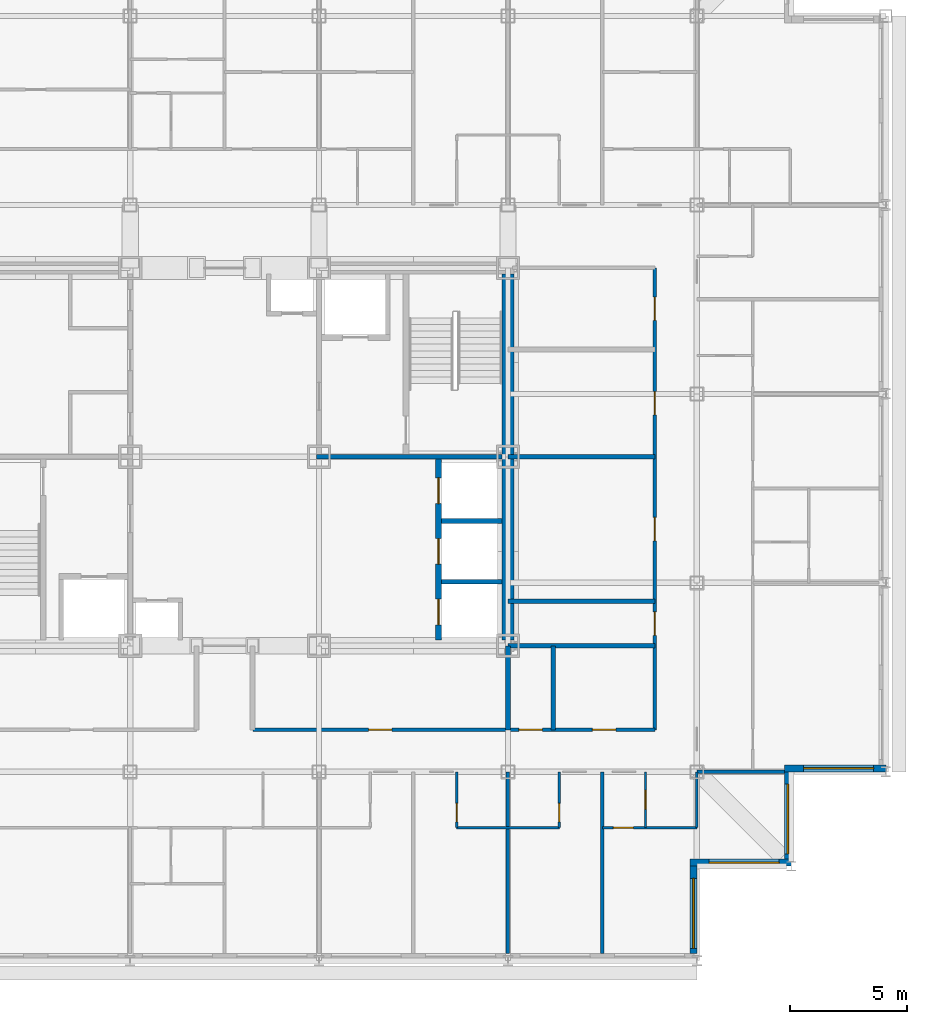
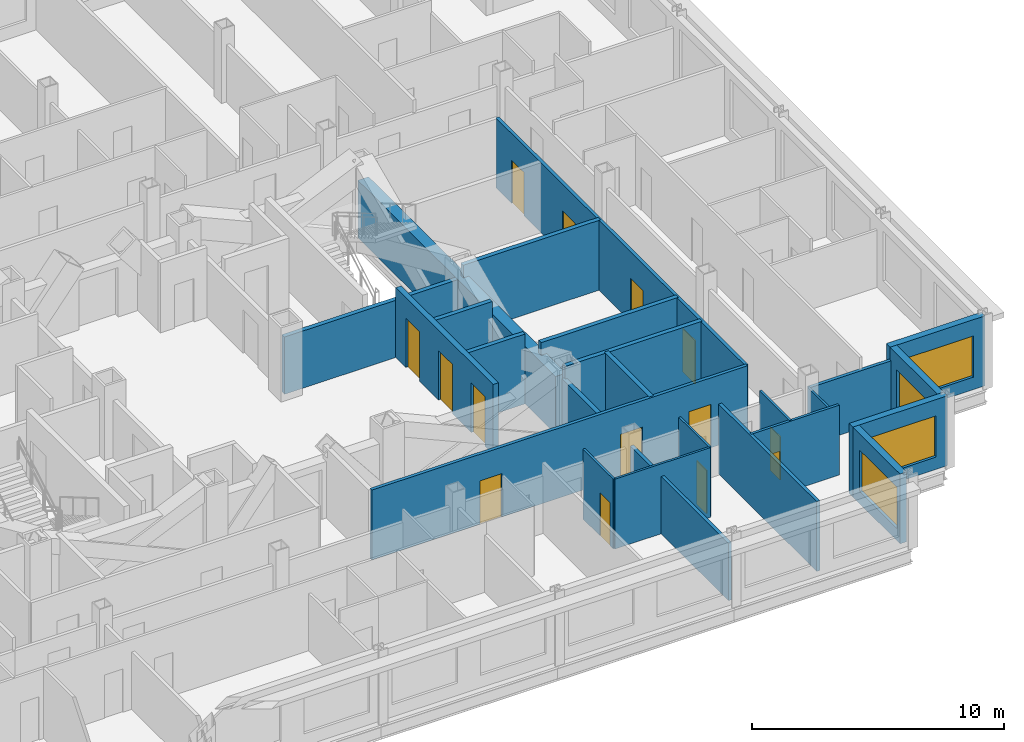
# One storey, part 7 of 12: 25 walls, 14 doors, 4 windows, 18 openings.
"""IFC4 building model written with IfcOpenShell, lengths in metres."""

from ifc_helpers import new_model, si_unit, direction, frame, frame_2d, origin, place, context, subcontext, project, spatial, rectangle, extrude, material, layer, layer_set, type_object, element, fill, save


model = new_model("IFC4")

# Units and contexts
model_context = context("Model", 3, precision=1e-05, world=origin(), true_north=direction((0.0, 1.0)))
body_context = subcontext(model_context, "Body", "Model", "MODEL_VIEW")
ifc_project = project(units=[si_unit("LENGTHUNIT", "METRE"), si_unit("AREAUNIT", "SQUARE_METRE"), si_unit("VOLUMEUNIT", "CUBIC_METRE"), si_unit("PLANEANGLEUNIT", "RADIAN"), si_unit("MASSUNIT", "GRAM", prefix="KILO")], contexts=[model_context])

# Site, building, storey
site_placement = place(None, origin())
site = spatial("IfcSite", under=ifc_project, at=site_placement, CompositionType="ELEMENT")
building_placement = place(site_placement, origin())
building = spatial("IfcBuilding", under=site, at=building_placement, Name="Kopane Lantern Tower", CompositionType="ELEMENT")
storey_placement = place(building_placement, frame((0.0, 0.0, 213.60009765625)))
storey = spatial("IfcBuildingStorey", under=building, at=storey_placement, Name="L55", CompositionType="ELEMENT", Elevation=213.60009765625)

# Wall, opening, door
ifc_material_1 = material(Name="Gypsum board on steel studs", Category="steel")
ifc_layer_1 = layer(ifc_material_1, 0.1201171875)
ifc_layer_set_1 = layer_set([ifc_layer_1], Name="APARTMENT INTERNAL WALL 120")
wall_type_1 = type_object("IfcWallType", Name="APARTMENT INTERNAL WALL 120", PredefinedType="PARTITIONING", material=ifc_layer_set_1)
wall_1_placement = place(storey_placement, frame((44.550048828125, 16.5, 0.0), z_axis=(0.0, 0.0, 1.0), x_axis=(1.0, 0.0, 0.0)))
wall_1 = element("IfcWall", 1, at=wall_1_placement, inside=storey, type_object=wall_type_1, Name="Apartment Internal Wall 120 L55", PredefinedType="PARTITIONING", context=body_context, shape_type="SweptSolid", body=[
    extrude(rectangle(XDim=4.050048828125, YDim=0.1201171875, at=frame_2d((2.02490234375, 0.0))), origin(), (0.0, 0.0, 1.0), 3.389892578125),
])
opening_1_placement = place(wall_1_placement, frame((0.47509765625, 0.0, 0.0)))
opening_1 = element("IfcOpeningElement", 2, at=opening_1_placement, cuts=wall_1, Name="Opening L55-060", PredefinedType="OPENING", context=body_context, shape_type="SweptSolid", body=[
    extrude(rectangle(XDim=0.85009765625, YDim=2.10009765625, at=frame_2d((0.425048828125, 1.050048828125))), frame((0.0, 0.070068359375, 0.0), z_axis=(0.0, -1.0, 0.0), x_axis=(1.0, 0.0, 0.0)), (0.0, 0.0, 1.0), 0.14013671875),
])
ifc_material_2 = material(Name="Timber door set", Category="wood")
door_type_1 = type_object("IfcDoorType", Name="DOOR D4 850x2100", OperationType="SINGLE_SWING_LEFT", PredefinedType="DOOR", material=ifc_material_2)
door_1_placement = place(opening_1_placement, origin())
door_1 = element("IfcDoor", 3, at=door_1_placement, inside=storey, type_object=door_type_1, Name="Door L55-060", OperationType="SINGLE_SWING_RIGHT", OverallHeight=2.10009765625, OverallWidth=0.85009765625, PredefinedType="DOOR", context=body_context, shape_type="SweptSolid", body=[
    extrude(rectangle(XDim=0.85009765625, YDim=2.10009765625, at=frame_2d((0.425048828125, 1.050048828125))), frame((0.0, 0.02490234375, 0.0), z_axis=(0.0, -1.0, 0.0), x_axis=(1.0, 0.0, 0.0)), (0.0, 0.0, 1.0), 0.050048828125),
])
fill(opening_1, door_1)

# Wall
ifc_material_3 = material(Name="Moisture-resistant board on steel studs", Category="steel")
ifc_layer_2 = layer(ifc_material_3, 0.10009765625)
ifc_layer_set_2 = layer_set([ifc_layer_2], Name="BATHROOM WALL 100")
wall_type_2 = type_object("IfcWallType", Name="BATHROOM WALL 100", PredefinedType="PARTITIONING", material=ifc_layer_set_2)
wall_2_placement = place(storey_placement, frame((38.300048828125, 16.5, 0.0), z_axis=(0.0, 0.0, 1.0), x_axis=(1.0, 0.0, 0.0)))
element("IfcWall", 4, at=wall_2_placement, inside=storey, type_object=wall_type_2, Name="Bathroom Wall 100 L55", PredefinedType="PARTITIONING", context=body_context, shape_type="SweptSolid", body=[
    extrude(rectangle(XDim=4.39990234375, YDim=0.10009765625, at=frame_2d((2.199951171875, 0.0))), origin(), (0.0, 0.0, 1.0), 3.389892578125),
])

# Wall, opening, door
wall_3_placement = place(storey_placement, frame((38.300048828125, 18.89990234375, 0.0), z_axis=(0.0, 0.0, 1.0), x_axis=(0.0, -1.0, 0.0)))
wall_3 = element("IfcWall", 5, at=wall_3_placement, inside=storey, type_object=wall_type_2, Name="Bathroom Wall 100 L55", PredefinedType="PARTITIONING", context=body_context, shape_type="SweptSolid", body=[
    extrude(rectangle(XDim=2.39990234375, YDim=0.10009765625, at=frame_2d((1.199951171875, 0.0))), origin(), (0.0, 0.0, 1.0), 3.389892578125),
])
opening_2_placement = place(wall_3_placement, frame((1.35009765625, 0.0, 0.0)))
opening_2 = element("IfcOpeningElement", 6, at=opening_2_placement, cuts=wall_3, Name="Opening L55-020", PredefinedType="OPENING", context=body_context, shape_type="SweptSolid", body=[
    extrude(rectangle(XDim=0.800048828125, YDim=2.10009765625, at=frame_2d((0.39990234375, 1.050048828125))), frame((0.0, 0.06005859375, 0.0), z_axis=(0.0, -1.0, 0.0), x_axis=(1.0, 0.0, 0.0)), (0.0, 0.0, 1.0), 0.1201171875),
])
ifc_material_4 = material(Name="Timber door set", Category="wood")
door_type_2 = type_object("IfcDoorType", Name="DOOR D2 800x2100", OperationType="SINGLE_SWING_LEFT", PredefinedType="DOOR", material=ifc_material_4)
door_2_placement = place(opening_2_placement, origin())
door_2 = element("IfcDoor", 7, at=door_2_placement, inside=storey, type_object=door_type_2, Name="Door L55-020", OperationType="SINGLE_SWING_RIGHT", OverallHeight=2.10009765625, OverallWidth=0.800048828125, PredefinedType="DOOR", context=body_context, shape_type="SweptSolid", body=[
    extrude(rectangle(XDim=0.800048828125, YDim=2.10009765625, at=frame_2d((0.39990234375, 1.050048828125))), frame((0.0, 0.02490234375, 0.0), z_axis=(0.0, -1.0, 0.0), x_axis=(1.0, 0.0, 0.0)), (0.0, 0.0, 1.0), 0.050048828125),
])
fill(opening_2, door_2)

wall_4_placement = place(storey_placement, frame((42.699951171875, 18.89990234375, 0.0), z_axis=(0.0, 0.0, 1.0), x_axis=(0.0, -1.0, 0.0)))
wall_4 = element("IfcWall", 8, at=wall_4_placement, inside=storey, type_object=wall_type_2, Name="Bathroom Wall 100 L55", PredefinedType="PARTITIONING", context=body_context, shape_type="SweptSolid", body=[
    extrude(rectangle(XDim=2.39990234375, YDim=0.10009765625, at=frame_2d((1.199951171875, 0.0))), origin(), (0.0, 0.0, 1.0), 3.389892578125),
])
opening_3_placement = place(wall_4_placement, frame((1.35009765625, 0.0, 0.0)))
opening_3 = element("IfcOpeningElement", 9, at=opening_3_placement, cuts=wall_4, Name="Opening L55-022", PredefinedType="OPENING", context=body_context, shape_type="SweptSolid", body=[
    extrude(rectangle(XDim=0.800048828125, YDim=2.10009765625, at=frame_2d((0.39990234375, 1.050048828125))), frame((0.0, 0.06005859375, 0.0), z_axis=(0.0, -1.0, 0.0), x_axis=(1.0, 0.0, 0.0)), (0.0, 0.0, 1.0), 0.1201171875),
])
door_3_placement = place(opening_3_placement, origin())
door_3 = element("IfcDoor", 10, at=door_3_placement, inside=storey, type_object=door_type_2, Name="Door L55-022", OperationType="SINGLE_SWING_LEFT", OverallHeight=2.10009765625, OverallWidth=0.800048828125, PredefinedType="DOOR", context=body_context, shape_type="SweptSolid", body=[
    extrude(rectangle(XDim=0.800048828125, YDim=2.10009765625, at=frame_2d((0.39990234375, 1.050048828125))), frame((0.0, 0.02490234375, 0.0), z_axis=(0.0, -1.0, 0.0), x_axis=(1.0, 0.0, 0.0)), (0.0, 0.0, 1.0), 0.050048828125),
])
fill(opening_3, door_3)

wall_5_placement = place(storey_placement, frame((46.39990234375, 18.89990234375, 0.0), z_axis=(0.0, 0.0, 1.0), x_axis=(0.0, -1.0, 0.0)))
wall_5 = element("IfcWall", 11, at=wall_5_placement, inside=storey, type_object=wall_type_2, Name="Bathroom Wall 100 L55", PredefinedType="PARTITIONING", context=body_context, shape_type="SweptSolid", body=[
    extrude(rectangle(XDim=2.39990234375, YDim=0.10009765625, at=frame_2d((1.199951171875, 0.0))), origin(), (0.0, 0.0, 1.0), 3.389892578125),
])
opening_4_placement = place(wall_5_placement, frame((0.800048828125, 0.0, 0.0)))
opening_4 = element("IfcOpeningElement", 12, at=opening_4_placement, cuts=wall_5, Name="Opening L55-058", PredefinedType="OPENING", context=body_context, shape_type="SweptSolid", body=[
    extrude(rectangle(XDim=0.800048828125, YDim=2.10009765625, at=frame_2d((0.39990234375, 1.050048828125))), frame((0.0, 0.06005859375, 0.0), z_axis=(0.0, -1.0, 0.0), x_axis=(1.0, 0.0, 0.0)), (0.0, 0.0, 1.0), 0.1201171875),
])
door_4_placement = place(opening_4_placement, origin())
door_4 = element("IfcDoor", 13, at=door_4_placement, inside=storey, type_object=door_type_2, Name="Door L55-058", OperationType="SINGLE_SWING_LEFT", OverallHeight=2.10009765625, OverallWidth=0.800048828125, PredefinedType="DOOR", context=body_context, shape_type="SweptSolid", body=[
    extrude(rectangle(XDim=0.800048828125, YDim=2.10009765625, at=frame_2d((0.39990234375, 1.050048828125))), frame((0.0, 0.02490234375, 0.0), z_axis=(0.0, -1.0, 0.0), x_axis=(1.0, 0.0, 0.0)), (0.0, 0.0, 1.0), 0.050048828125),
])
fill(opening_4, door_4)

# Walls
wall_6_placement = place(storey_placement, frame((48.60009765625, 18.89990234375, 0.0), z_axis=(0.0, 0.0, 1.0), x_axis=(0.0, -1.0, 0.0)))
element("IfcWall", 14, at=wall_6_placement, inside=storey, type_object=wall_type_2, Name="Bathroom Wall 100 L55", PredefinedType="PARTITIONING", context=body_context, shape_type="SweptSolid", body=[
    extrude(rectangle(XDim=2.39990234375, YDim=0.10009765625, at=frame_2d((1.199951171875, 0.0))), origin(), (0.0, 0.0, 1.0), 2.777587890625),
])
ifc_material_5 = material(Name="Gypsum shaft wall EI 120", Category="gypsum")
ifc_layer_3 = layer(ifc_material_5, 0.5)
ifc_layer_set_3 = layer_set([ifc_layer_3], Name="CORE PERIMETER WALL 500 EI 120")
wall_type_3 = type_object("IfcWallType", Name="CORE PERIMETER WALL 500 EI 120", PredefinedType="SOLIDWALL", material=ifc_layer_set_3)
wall_7_placement = place(storey_placement, frame((40.5, 24.550048828125, 0.0), z_axis=(0.0, 0.0, 1.0), x_axis=(0.0, 1.0, 0.0)))
element("IfcWall", 15, at=wall_7_placement, inside=storey, type_object=wall_type_3, Name="Core shaft wall L55 PE", PredefinedType="SOLIDWALL", context=body_context, shape_type="SweptSolid", body=[
    extrude(rectangle(XDim=15.699951171875, YDim=0.5, at=frame_2d((7.85009765625, 0.0))), origin(), (0.0, 0.0, 1.0), 2.777587890625),
])

# Wall, openings, doors
ifc_material_6 = material(Name="Gypsum shaft wall EI 120", Category="gypsum")
ifc_layer_4 = layer(ifc_material_6, 0.25)
ifc_layer_set_4 = layer_set([ifc_layer_4], Name="CORE SHAFT WALL 250 EI 120")
wall_type_4 = type_object("IfcWallType", Name="CORE SHAFT WALL 250 EI 120", PredefinedType="SOLIDWALL", material=ifc_layer_set_4)
wall_8_placement = place(storey_placement, frame((37.52490234375, 24.550048828125, 0.0), z_axis=(0.0, 0.0, 1.0), x_axis=(0.0, 1.0, 0.0)))
wall_8 = element("IfcWall", 16, at=wall_8_placement, inside=storey, type_object=wall_type_4, Name="Core shaft wall L55 XLR", PredefinedType="SOLIDWALL", context=body_context, shape_type="SweptSolid", body=[
    extrude(rectangle(XDim=7.75, YDim=0.25, at=frame_2d((3.875, 0.0))), origin(), (0.0, 0.0, 1.0), 3.389892578125),
])
opening_5_placement = place(wall_8_placement, frame((0.64990234375, 0.0, 0.0)))
opening_5 = element("IfcOpeningElement", 17, at=opening_5_placement, cuts=wall_8, Name="Opening 55.LD-LR1", PredefinedType="OPENING", context=body_context, shape_type="SweptSolid", body=[
    extrude(rectangle(XDim=1.10009765625, YDim=2.39990234375, at=frame_2d((0.550048828125, 1.199951171875))), frame((0.0, 0.135009765625, 0.0), z_axis=(0.0, -1.0, 0.0), x_axis=(1.0, 0.0, 0.0)), (0.0, 0.0, 1.0), 0.27001953125),
])
opening_6_placement = place(wall_8_placement, frame((3.25, 0.0, 0.0)))
opening_6 = element("IfcOpeningElement", 18, at=opening_6_placement, cuts=wall_8, Name="Opening 55.LD-LR2", PredefinedType="OPENING", context=body_context, shape_type="SweptSolid", body=[
    extrude(rectangle(XDim=1.10009765625, YDim=2.39990234375, at=frame_2d((0.550048828125, 1.199951171875))), frame((0.0, 0.135009765625, 0.0), z_axis=(0.0, -1.0, 0.0), x_axis=(1.0, 0.0, 0.0)), (0.0, 0.0, 1.0), 0.27001953125),
])
opening_7_placement = place(wall_8_placement, frame((5.85009765625, 0.0, 0.0)))
opening_7 = element("IfcOpeningElement", 19, at=opening_7_placement, cuts=wall_8, Name="Opening 55.LD-LR3", PredefinedType="OPENING", context=body_context, shape_type="SweptSolid", body=[
    extrude(rectangle(XDim=1.10009765625, YDim=2.39990234375, at=frame_2d((0.550048828125, 1.199951171875))), frame((0.0, 0.135009765625, 0.0), z_axis=(0.0, -1.0, 0.0), x_axis=(1.0, 0.0, 0.0)), (0.0, 0.0, 1.0), 0.27001953125),
])
ifc_material_7 = material(Name="Steel door set", Category="steel")
door_type_3 = type_object("IfcDoorType", Name="LIFT LANDING DOOR 1100x2400 FD60", OperationType="DOUBLE_DOOR_SLIDING", PredefinedType="DOOR", material=ifc_material_7)
door_5_placement = place(opening_5_placement, origin())
door_5 = element("IfcDoor", 20, at=door_5_placement, inside=storey, type_object=door_type_3, Name="Landing door LR1 L55", OperationType="DOUBLE_DOOR_SLIDING", OverallHeight=2.39990234375, OverallWidth=1.10009765625, PredefinedType="DOOR", context=body_context, shape_type="SweptSolid", body=[
    extrude(rectangle(XDim=1.10009765625, YDim=2.39990234375, at=frame_2d((0.550048828125, 1.199951171875))), frame((0.0, 0.02490234375, 0.0), z_axis=(0.0, -1.0, 0.0), x_axis=(1.0, 0.0, 0.0)), (0.0, 0.0, 1.0), 0.050048828125),
])
fill(opening_5, door_5)
door_6_placement = place(opening_6_placement, origin())
door_6 = element("IfcDoor", 21, at=door_6_placement, inside=storey, type_object=door_type_3, Name="Landing door LR2 L55", OperationType="DOUBLE_DOOR_SLIDING", OverallHeight=2.39990234375, OverallWidth=1.10009765625, PredefinedType="DOOR", context=body_context, shape_type="SweptSolid", body=[
    extrude(rectangle(XDim=1.10009765625, YDim=2.39990234375, at=frame_2d((0.550048828125, 1.199951171875))), frame((0.0, 0.02490234375, 0.0), z_axis=(0.0, -1.0, 0.0), x_axis=(1.0, 0.0, 0.0)), (0.0, 0.0, 1.0), 0.050048828125),
])
fill(opening_6, door_6)
door_7_placement = place(opening_7_placement, origin())
door_7 = element("IfcDoor", 22, at=door_7_placement, inside=storey, type_object=door_type_3, Name="Landing door LR3 L55", OperationType="DOUBLE_DOOR_SLIDING", OverallHeight=2.39990234375, OverallWidth=1.10009765625, PredefinedType="DOOR", context=body_context, shape_type="SweptSolid", body=[
    extrude(rectangle(XDim=1.10009765625, YDim=2.39990234375, at=frame_2d((0.550048828125, 1.199951171875))), frame((0.0, 0.02490234375, 0.0), z_axis=(0.0, -1.0, 0.0), x_axis=(1.0, 0.0, 0.0)), (0.0, 0.0, 1.0), 0.050048828125),
])
fill(opening_7, door_7)

ifc_material_8 = material(Name="Gypsum board on steel studs", Category="steel")
ifc_layer_5 = layer(ifc_material_8, 0.14990234375)
ifc_layer_set_5 = layer_set([ifc_layer_5], Name="CORRIDOR WALL 150 EI 60")
wall_type_5 = type_object("IfcWallType", Name="CORRIDOR WALL 150 EI 60", PredefinedType="PARTITIONING", material=ifc_layer_set_5)
wall_9_placement = place(storey_placement, frame((46.800048828125, 20.699951171875, 0.0), z_axis=(0.0, 0.0, 1.0), x_axis=(0.0, 1.0, 0.0)))
wall_9 = element("IfcWall", 23, at=wall_9_placement, inside=storey, type_object=wall_type_5, Name="Corridor Wall 150 Ei 60 L55", PredefinedType="PARTITIONING", context=body_context, shape_type="SweptSolid", body=[
    extrude(rectangle(XDim=19.800048828125, YDim=0.14990234375, at=frame_2d((9.89990234375, 0.0))), origin(), (0.0, 0.0, 1.0), 3.389892578125),
])
opening_8_placement = place(wall_9_placement, frame((4.052490234375, 0.0, 0.0)))
opening_8 = element("IfcOpeningElement", 24, at=opening_8_placement, cuts=wall_9, Name="Opening L55-003", PredefinedType="OPENING", context=body_context, shape_type="SweptSolid", body=[
    extrude(rectangle(XDim=1.0, YDim=2.10009765625, at=frame_2d((0.5, 1.050048828125))), frame((0.0, 0.0849609375, 0.0), z_axis=(0.0, -1.0, 0.0), x_axis=(1.0, 0.0, 0.0)), (0.0, 0.0, 1.0), 0.169921875),
])
opening_9_placement = place(wall_9_placement, frame((8.102294921875, 0.0, 0.0)))
opening_9 = element("IfcOpeningElement", 25, at=opening_9_placement, cuts=wall_9, Name="Opening L55-004", PredefinedType="OPENING", context=body_context, shape_type="SweptSolid", body=[
    extrude(rectangle(XDim=1.0, YDim=2.10009765625, at=frame_2d((0.5, 1.050048828125))), frame((0.0, 0.0849609375, 0.0), z_axis=(0.0, -1.0, 0.0), x_axis=(1.0, 0.0, 0.0)), (0.0, 0.0, 1.0), 0.169921875),
])
opening_10_placement = place(wall_9_placement, frame((13.501708984375, 0.0, 0.0)))
opening_10 = element("IfcOpeningElement", 26, at=opening_10_placement, cuts=wall_9, Name="Opening L55-005", PredefinedType="OPENING", context=body_context, shape_type="SweptSolid", body=[
    extrude(rectangle(XDim=1.0, YDim=2.10009765625, at=frame_2d((0.5, 1.050048828125))), frame((0.0, 0.0849609375, 0.0), z_axis=(0.0, -1.0, 0.0), x_axis=(1.0, 0.0, 0.0)), (0.0, 0.0, 1.0), 0.169921875),
])
opening_11_placement = place(wall_9_placement, frame((17.551513671875, 0.0, 0.0)))
opening_11 = element("IfcOpeningElement", 27, at=opening_11_placement, cuts=wall_9, Name="Opening L55-006", PredefinedType="OPENING", context=body_context, shape_type="SweptSolid", body=[
    extrude(rectangle(XDim=1.0, YDim=2.10009765625, at=frame_2d((0.5, 1.050048828125))), frame((0.0, 0.0849609375, 0.0), z_axis=(0.0, -1.0, 0.0), x_axis=(1.0, 0.0, 0.0)), (0.0, 0.0, 1.0), 0.169921875),
])
ifc_material_9 = material(Name="Steel door set", Category="steel")
door_type_4 = type_object("IfcDoorType", Name="DOOR D5 1000x2100 FD60", OperationType="SINGLE_SWING_LEFT", PredefinedType="DOOR", material=ifc_material_9)
door_8_placement = place(opening_8_placement, origin())
door_8 = element("IfcDoor", 28, at=door_8_placement, inside=storey, type_object=door_type_4, Name="Door L55-003", OperationType="SINGLE_SWING_LEFT", OverallHeight=2.10009765625, OverallWidth=1.0, PredefinedType="DOOR", context=body_context, shape_type="SweptSolid", body=[
    extrude(rectangle(XDim=1.0, YDim=2.10009765625, at=frame_2d((0.5, 1.050048828125))), frame((0.0, 0.02490234375, 0.0), z_axis=(0.0, -1.0, 0.0), x_axis=(1.0, 0.0, 0.0)), (0.0, 0.0, 1.0), 0.050048828125),
])
fill(opening_8, door_8)
door_9_placement = place(opening_9_placement, origin())
door_9 = element("IfcDoor", 29, at=door_9_placement, inside=storey, type_object=door_type_4, Name="Door L55-004", OperationType="SINGLE_SWING_RIGHT", OverallHeight=2.10009765625, OverallWidth=1.0, PredefinedType="DOOR", context=body_context, shape_type="SweptSolid", body=[
    extrude(rectangle(XDim=1.0, YDim=2.10009765625, at=frame_2d((0.5, 1.050048828125))), frame((0.0, 0.02490234375, 0.0), z_axis=(0.0, -1.0, 0.0), x_axis=(1.0, 0.0, 0.0)), (0.0, 0.0, 1.0), 0.050048828125),
])
fill(opening_9, door_9)
door_10_placement = place(opening_10_placement, origin())
door_10 = element("IfcDoor", 30, at=door_10_placement, inside=storey, type_object=door_type_4, Name="Door L55-005", OperationType="SINGLE_SWING_LEFT", OverallHeight=2.10009765625, OverallWidth=1.0, PredefinedType="DOOR", context=body_context, shape_type="SweptSolid", body=[
    extrude(rectangle(XDim=1.0, YDim=2.10009765625, at=frame_2d((0.5, 1.050048828125))), frame((0.0, 0.02490234375, 0.0), z_axis=(0.0, -1.0, 0.0), x_axis=(1.0, 0.0, 0.0)), (0.0, 0.0, 1.0), 0.050048828125),
])
fill(opening_10, door_10)
door_11_placement = place(opening_11_placement, origin())
door_11 = element("IfcDoor", 31, at=door_11_placement, inside=storey, type_object=door_type_4, Name="Door L55-006", OperationType="SINGLE_SWING_RIGHT", OverallHeight=2.10009765625, OverallWidth=1.0, PredefinedType="DOOR", context=body_context, shape_type="SweptSolid", body=[
    extrude(rectangle(XDim=1.0, YDim=2.10009765625, at=frame_2d((0.5, 1.050048828125))), frame((0.0, 0.02490234375, 0.0), z_axis=(0.0, -1.0, 0.0), x_axis=(1.0, 0.0, 0.0)), (0.0, 0.0, 1.0), 0.050048828125),
])
fill(opening_11, door_11)

wall_10_placement = place(storey_placement, frame((29.56005859375, 20.699951171875, 0.0), z_axis=(0.0, 0.0, 1.0), x_axis=(1.0, 0.0, 0.0)))
wall_10 = element("IfcWall", 32, at=wall_10_placement, inside=storey, type_object=wall_type_5, Name="Corridor Wall 150 Ei 60 L55", PredefinedType="PARTITIONING", context=body_context, shape_type="SweptSolid", body=[
    extrude(rectangle(XDim=17.239990234375, YDim=0.14990234375, at=frame_2d((8.6201171875, 0.0))), origin(), (0.0, 0.0, 1.0), 3.389892578125),
])
opening_12_placement = place(wall_10_placement, frame((4.965087890625, 0.0, 0.0)))
opening_12 = element("IfcOpeningElement", 33, at=opening_12_placement, cuts=wall_10, Name="Opening L55-009", PredefinedType="OPENING", context=body_context, shape_type="SweptSolid", body=[
    extrude(rectangle(XDim=1.0, YDim=2.10009765625, at=frame_2d((0.5, 1.050048828125))), frame((0.0, 0.0849609375, 0.0), z_axis=(0.0, -1.0, 0.0), x_axis=(1.0, 0.0, 0.0)), (0.0, 0.0, 1.0), 0.169921875),
])
opening_13_placement = place(wall_10_placement, frame((11.412109375, 0.0, 0.0)))
opening_13 = element("IfcOpeningElement", 34, at=opening_13_placement, cuts=wall_10, Name="Opening L55-010", PredefinedType="OPENING", context=body_context, shape_type="SweptSolid", body=[
    extrude(rectangle(XDim=1.0, YDim=2.10009765625, at=frame_2d((0.5, 1.050048828125))), frame((0.0, 0.0849609375, 0.0), z_axis=(0.0, -1.0, 0.0), x_axis=(1.0, 0.0, 0.0)), (0.0, 0.0, 1.0), 0.169921875),
])
opening_14_placement = place(wall_10_placement, frame((14.562255859375, 0.0, 0.0)))
opening_14 = element("IfcOpeningElement", 35, at=opening_14_placement, cuts=wall_10, Name="Opening L55-011", PredefinedType="OPENING", context=body_context, shape_type="SweptSolid", body=[
    extrude(rectangle(XDim=1.0, YDim=2.10009765625, at=frame_2d((0.5, 1.050048828125))), frame((0.0, 0.0849609375, 0.0), z_axis=(0.0, -1.0, 0.0), x_axis=(1.0, 0.0, 0.0)), (0.0, 0.0, 1.0), 0.169921875),
])
door_12_placement = place(opening_12_placement, origin())
door_12 = element("IfcDoor", 36, at=door_12_placement, inside=storey, type_object=door_type_4, Name="Door L55-009", OperationType="SINGLE_SWING_LEFT", OverallHeight=2.10009765625, OverallWidth=1.0, PredefinedType="DOOR", context=body_context, shape_type="SweptSolid", body=[
    extrude(rectangle(XDim=1.0, YDim=2.10009765625, at=frame_2d((0.5, 1.050048828125))), frame((0.0, 0.02490234375, 0.0), z_axis=(0.0, -1.0, 0.0), x_axis=(1.0, 0.0, 0.0)), (0.0, 0.0, 1.0), 0.050048828125),
])
fill(opening_12, door_12)
door_13_placement = place(opening_13_placement, origin())
door_13 = element("IfcDoor", 37, at=door_13_placement, inside=storey, type_object=door_type_4, Name="Door L55-010", OperationType="SINGLE_SWING_RIGHT", OverallHeight=2.10009765625, OverallWidth=1.0, PredefinedType="DOOR", context=body_context, shape_type="SweptSolid", body=[
    extrude(rectangle(XDim=1.0, YDim=2.10009765625, at=frame_2d((0.5, 1.050048828125))), frame((0.0, 0.02490234375, 0.0), z_axis=(0.0, -1.0, 0.0), x_axis=(1.0, 0.0, 0.0)), (0.0, 0.0, 1.0), 0.050048828125),
])
fill(opening_13, door_13)
door_14_placement = place(opening_14_placement, origin())
door_14 = element("IfcDoor", 38, at=door_14_placement, inside=storey, type_object=door_type_4, Name="Door L55-011", OperationType="SINGLE_SWING_LEFT", OverallHeight=2.10009765625, OverallWidth=1.0, PredefinedType="DOOR", context=body_context, shape_type="SweptSolid", body=[
    extrude(rectangle(XDim=1.0, YDim=2.10009765625, at=frame_2d((0.5, 1.050048828125))), frame((0.0, 0.02490234375, 0.0), z_axis=(0.0, -1.0, 0.0), x_axis=(1.0, 0.0, 0.0)), (0.0, 0.0, 1.0), 0.050048828125),
])
fill(opening_14, door_14)

# Walls
ifc_material_10 = material(Name="Gypsum board on steel studs", Category="steel")
ifc_layer_6 = layer(ifc_material_10, 0.14990234375)
ifc_layer_set_6 = layer_set([ifc_layer_6], Name="DEMISING WALL 150 EI 60")
wall_type_6 = type_object("IfcWallType", Name="DEMISING WALL 150 EI 60", PredefinedType="PARTITIONING", material=ifc_layer_set_6)
wall_11_placement = place(storey_placement, frame((40.5, 18.89990234375, 0.0), z_axis=(0.0, 0.0, 1.0), x_axis=(0.0, -1.0, 0.0)))
element("IfcWall", 39, at=wall_11_placement, inside=storey, type_object=wall_type_6, Name="Demising Wall 150 Ei 60 L55", PredefinedType="PARTITIONING", context=body_context, shape_type="SweptSolid", body=[
    extrude(rectangle(XDim=7.7998046875, YDim=0.14990234375, at=frame_2d((3.89990234375, 0.0))), origin(), (0.0, 0.0, 1.0), 2.777587890625),
])
wall_12_placement = place(storey_placement, frame((48.60009765625, 18.89990234375, 0.0), z_axis=(0.0, 0.0, 1.0), x_axis=(1.0, 0.0, 0.0)))
element("IfcWall", 40, at=wall_12_placement, inside=storey, type_object=wall_type_6, Name="Demising Wall 150 Ei 60 L55", PredefinedType="PARTITIONING", context=body_context, shape_type="SweptSolid", body=[
    extrude(rectangle(XDim=3.75, YDim=0.14990234375, at=frame_2d((1.875, 0.0))), origin(), (0.0, 0.0, 1.0), 2.777587890625),
])
wall_13_placement = place(storey_placement, frame((44.550048828125, 18.89990234375, 0.0), z_axis=(0.0, 0.0, 1.0), x_axis=(0.0, -1.0, 0.0)))
element("IfcWall", 41, at=wall_13_placement, inside=storey, type_object=wall_type_6, Name="Demising Wall 150 Ei 60 L55", PredefinedType="PARTITIONING", context=body_context, shape_type="SweptSolid", body=[
    extrude(rectangle(XDim=7.7998046875, YDim=0.14990234375, at=frame_2d((3.89990234375, 0.0))), origin(), (0.0, 0.0, 1.0), 3.389892578125),
])

# Wall, opening, window
ifc_material_11 = material(Name="Terracotta rainscreen on light steel framing", Category="masonry")
ifc_layer_7 = layer(ifc_material_11, 0.300048828125)
ifc_layer_set_7 = layer_set([ifc_layer_7], Name="EXTERNAL WALL EW1 300 TERRACOTTA")
wall_type_7 = type_object("IfcWallType", Name="EXTERNAL WALL EW1 300 TERRACOTTA", PredefinedType="SOLIDWALL", material=ifc_layer_set_7)
wall_14_placement = place(storey_placement, frame((48.449951171875, 11.10009765625, 0.0), z_axis=(0.0, 0.0, 1.0), x_axis=(0.0, 1.0, 0.0)))
wall_14 = element("IfcWall", 42, at=wall_14_placement, inside=storey, type_object=wall_type_7, Name="External wall E L55", PredefinedType="SOLIDWALL", context=body_context, shape_type="SweptSolid", body=[
    extrude(rectangle(XDim=3.75, YDim=0.300048828125, at=frame_2d((1.875, 0.0))), origin(), (0.0, 0.0, 1.0), 3.389892578125),
])
opening_15_placement = place(wall_14_placement, frame((0.22509765625, 0.0, 0.60009765625)))
opening_15 = element("IfcOpeningElement", 43, at=opening_15_placement, cuts=wall_14, Name="Opening WR300200", PredefinedType="OPENING", context=body_context, shape_type="SweptSolid", body=[
    extrude(rectangle(XDim=3.0, YDim=2.0, at=frame_2d((1.5, 1.0))), frame((0.0, 0.159912109375, 0.0), z_axis=(0.0, -1.0, 0.0), x_axis=(1.0, 0.0, 0.0)), (0.0, 0.0, 1.0), 0.320068359375),
])
ifc_material_12 = material(Name="Aluminium and clear glass", Category="aluminium")
window_type = type_object("IfcWindowType", Name="RIBBON WINDOW WR300200 3000x2000", PartitioningType="SINGLE_PANEL", PredefinedType="WINDOW", material=ifc_material_12)
window_1_placement = place(opening_15_placement, origin())
window_1 = element("IfcWindow", 44, at=window_1_placement, inside=storey, type_object=window_type, Name="Window E L55", OverallHeight=2.0, OverallWidth=3.0, PartitioningType="SINGLE_PANEL", PredefinedType="WINDOW", context=body_context, shape_type="SweptSolid", body=[
    extrude(rectangle(XDim=3.0, YDim=2.0, at=frame_2d((1.5, 1.0))), frame((0.0, 0.030029296875, 0.0), z_axis=(0.0, -1.0, 0.0), x_axis=(1.0, 0.0, 0.0)), (0.0, 0.0, 1.0), 0.06005859375),
])
fill(opening_15, window_1)

wall_15_placement = place(storey_placement, frame((48.300048828125, 15.0, 0.0), z_axis=(0.0, 0.0, 1.0), x_axis=(1.0, 0.0, 0.0)))
wall_15 = element("IfcWall", 45, at=wall_15_placement, inside=storey, type_object=wall_type_7, Name="External wall S L55", PredefinedType="SOLIDWALL", context=body_context, shape_type="SweptSolid", body=[
    extrude(rectangle(XDim=4.349853515625, YDim=0.300048828125, at=frame_2d((2.1748046875, 0.0))), origin(), (0.0, 0.0, 1.0), 3.389892578125),
])
opening_16_placement = place(wall_15_placement, frame((0.824951171875, 0.0, 0.60009765625)))
opening_16 = element("IfcOpeningElement", 46, at=opening_16_placement, cuts=wall_15, Name="Opening WR300200", PredefinedType="OPENING", context=body_context, shape_type="SweptSolid", body=[
    extrude(rectangle(XDim=3.0, YDim=2.0, at=frame_2d((1.5, 1.0))), frame((0.0, 0.159912109375, 0.0), z_axis=(0.0, -1.0, 0.0), x_axis=(1.0, 0.0, 0.0)), (0.0, 0.0, 1.0), 0.320068359375),
])
window_2_placement = place(opening_16_placement, origin())
window_2 = element("IfcWindow", 47, at=window_2_placement, inside=storey, type_object=window_type, Name="Window S L55", OverallHeight=2.0, OverallWidth=3.0, PartitioningType="SINGLE_PANEL", PredefinedType="WINDOW", context=body_context, shape_type="SweptSolid", body=[
    extrude(rectangle(XDim=3.0, YDim=2.0, at=frame_2d((1.5, 1.0))), frame((0.0, 0.030029296875, 0.0), z_axis=(0.0, -1.0, 0.0), x_axis=(1.0, 0.0, 0.0)), (0.0, 0.0, 1.0), 0.06005859375),
])
fill(opening_16, window_2)

wall_16_placement = place(storey_placement, frame((52.5, 15.14990234375, 0.0), z_axis=(0.0, 0.0, 1.0), x_axis=(0.0, 1.0, 0.0)))
wall_16 = element("IfcWall", 48, at=wall_16_placement, inside=storey, type_object=wall_type_7, Name="External wall E L55", PredefinedType="SOLIDWALL", context=body_context, shape_type="SweptSolid", body=[
    extrude(rectangle(XDim=3.75, YDim=0.300048828125, at=frame_2d((1.875, 0.0))), origin(), (0.0, 0.0, 1.0), 3.389892578125),
])
opening_17_placement = place(wall_16_placement, frame((0.22509765625, 0.0, 0.60009765625)))
opening_17 = element("IfcOpeningElement", 49, at=opening_17_placement, cuts=wall_16, Name="Opening WR300200", PredefinedType="OPENING", context=body_context, shape_type="SweptSolid", body=[
    extrude(rectangle(XDim=3.0, YDim=2.0, at=frame_2d((1.5, 1.0))), frame((0.0, 0.159912109375, 0.0), z_axis=(0.0, -1.0, 0.0), x_axis=(1.0, 0.0, 0.0)), (0.0, 0.0, 1.0), 0.320068359375),
])
window_3_placement = place(opening_17_placement, origin())
window_3 = element("IfcWindow", 50, at=window_3_placement, inside=storey, type_object=window_type, Name="Window E L55", OverallHeight=2.0, OverallWidth=3.0, PartitioningType="SINGLE_PANEL", PredefinedType="WINDOW", context=body_context, shape_type="SweptSolid", body=[
    extrude(rectangle(XDim=3.0, YDim=2.0, at=frame_2d((1.5, 1.0))), frame((0.0, 0.030029296875, 0.0), z_axis=(0.0, -1.0, 0.0), x_axis=(1.0, 0.0, 0.0)), (0.0, 0.0, 1.0), 0.06005859375),
])
fill(opening_17, window_3)

wall_17_placement = place(storey_placement, frame((52.35009765625, 19.050048828125, 0.0), z_axis=(0.0, 0.0, 1.0), x_axis=(1.0, 0.0, 0.0)))
wall_17 = element("IfcWall", 51, at=wall_17_placement, inside=storey, type_object=wall_type_7, Name="External wall S L55", PredefinedType="SOLIDWALL", context=body_context, shape_type="SweptSolid", body=[
    extrude(rectangle(XDim=4.349853515625, YDim=0.300048828125, at=frame_2d((2.1748046875, 0.0))), origin(), (0.0, 0.0, 1.0), 3.389892578125),
])
opening_18_placement = place(wall_17_placement, frame((0.824951171875, 0.0, 0.60009765625)))
opening_18 = element("IfcOpeningElement", 52, at=opening_18_placement, cuts=wall_17, Name="Opening WR300200", PredefinedType="OPENING", context=body_context, shape_type="SweptSolid", body=[
    extrude(rectangle(XDim=3.0, YDim=2.0, at=frame_2d((1.5, 1.0))), frame((0.0, 0.159912109375, 0.0), z_axis=(0.0, -1.0, 0.0), x_axis=(1.0, 0.0, 0.0)), (0.0, 0.0, 1.0), 0.320068359375),
])
window_4_placement = place(opening_18_placement, origin())
window_4 = element("IfcWindow", 53, at=window_4_placement, inside=storey, type_object=window_type, Name="Window S L55", OverallHeight=2.0, OverallWidth=3.0, PartitioningType="SINGLE_PANEL", PredefinedType="WINDOW", context=body_context, shape_type="SweptSolid", body=[
    extrude(rectangle(XDim=3.0, YDim=2.0, at=frame_2d((1.5, 1.0))), frame((0.0, 0.030029296875, 0.0), z_axis=(0.0, -1.0, 0.0), x_axis=(1.0, 0.0, 0.0)), (0.0, 0.0, 1.0), 0.06005859375),
])
fill(opening_18, window_4)

# Walls
ifc_material_13 = material(Name="Concrete masonry", Category="masonry")
ifc_layer_8 = layer(ifc_material_13, 0.199951171875)
ifc_layer_set_8 = layer_set([ifc_layer_8], Name="PLANT ROOM WALL 200 EI 120")
wall_type_8 = type_object("IfcWallType", Name="PLANT ROOM WALL 200 EI 120", PredefinedType="SOLIDWALL", material=ifc_layer_set_8)
for number, where, z_axis, x_axis, name in (
    (54, (40.5, 32.39990234375, 0.0), (0.0, 0.0, 1.0), (1.0, 0.0, 0.0), "Plant Room Wall 200 Ei 120 L55"),
    (55, (46.800048828125, 26.204833984375, 0.0), (0.0, 0.0, 1.0), (-1.0, 0.0, 0.0), "Plant Room Wall 200 Ei 120 L55"),
):
    element("IfcWall", number, at=place(storey_placement, frame(where, z_axis=z_axis, x_axis=x_axis)), inside=storey, type_object=wall_type_8, Name=name, PredefinedType="SOLIDWALL", context=body_context, shape_type="SweptSolid", body=[
        extrude(rectangle(XDim=6.300048828125, YDim=0.199951171875, at=frame_2d((3.14990234375, 0.0))), origin(), (0.0, 0.0, 1.0), 3.389892578125),
    ])
wall_18_placement = place(storey_placement, frame((40.5, 20.699951171875, 0.0), z_axis=(0.0, 0.0, 1.0), x_axis=(0.0, 1.0, 0.0)))
element("IfcWall", 56, at=wall_18_placement, inside=storey, type_object=wall_type_8, Name="Plant Room Wall 200 Ei 120 L55", PredefinedType="SOLIDWALL", context=body_context, shape_type="SweptSolid", body=[
    extrude(rectangle(XDim=3.60009765625, YDim=0.199951171875, at=frame_2d((1.800048828125, 0.0))), origin(), (0.0, 0.0, 1.0), 2.777587890625),
])
wall_19_placement = place(storey_placement, frame((42.4443359375, 20.699951171875, 0.0), z_axis=(0.0, 0.0, 1.0), x_axis=(0.0, 1.0, 0.0)))
element("IfcWall", 57, at=wall_19_placement, inside=storey, type_object=wall_type_8, Name="Plant Room Wall 200 Ei 120 L55", PredefinedType="SOLIDWALL", context=body_context, shape_type="SweptSolid", body=[
    extrude(rectangle(XDim=3.60009765625, YDim=0.199951171875, at=frame_2d((1.800048828125, 0.0))), origin(), (0.0, 0.0, 1.0), 3.389892578125),
])
wall_20_placement = place(storey_placement, frame((40.5, 24.300048828125, 0.0), z_axis=(0.0, 0.0, 1.0), x_axis=(1.0, 0.0, 0.0)))
element("IfcWall", 58, at=wall_20_placement, inside=storey, type_object=wall_type_8, Name="Plant Room Wall 200 Ei 120 L55", PredefinedType="SOLIDWALL", context=body_context, shape_type="SweptSolid", body=[
    extrude(rectangle(XDim=6.300048828125, YDim=0.199951171875, at=frame_2d((3.14990234375, 0.0))), origin(), (0.0, 0.0, 1.0), 3.389892578125),
])
ifc_material_14 = material(Name="Gypsum shaft wall EI 120", Category="gypsum")
ifc_layer_9 = layer(ifc_material_14, 0.199951171875)
ifc_layer_set_9 = layer_set([ifc_layer_9], Name="SHAFT WALL 200 EI 120")
wall_type_9 = type_object("IfcWallType", Name="SHAFT WALL 200 EI 120", PredefinedType="SOLIDWALL", material=ifc_layer_set_9)
wall_21_placement = place(storey_placement, frame((32.300048828125, 32.39990234375, 0.0), z_axis=(0.0, 0.0, 1.0), x_axis=(1.0, 0.0, 0.0)))
element("IfcWall", 59, at=wall_21_placement, inside=storey, type_object=wall_type_9, Name="Core shaft wall L55 Y324E", PredefinedType="SOLIDWALL", context=body_context, shape_type="SweptSolid", body=[
    extrude(rectangle(XDim=7.949951171875, YDim=0.199951171875, at=frame_2d((3.97509765625, 0.0))), origin(), (0.0, 0.0, 1.0), 2.777587890625),
])
for number, where, z_axis, x_axis, name in (
    (60, (37.64990234375, 27.050048828125, 0.0), (0.0, 0.0, 1.0), (1.0, 0.0, 0.0), "Core shaft wall L55 YLR12"),
    (61, (37.64990234375, 29.64990234375, 0.0), (0.0, 0.0, 1.0), (1.0, 0.0, 0.0), "Core shaft wall L55 YLR23"),
):
    element("IfcWall", number, at=place(storey_placement, frame(where, z_axis=z_axis, x_axis=x_axis)), inside=storey, type_object=wall_type_9, Name=name, PredefinedType="SOLIDWALL", context=body_context, shape_type="SweptSolid", body=[
        extrude(rectangle(XDim=2.60009765625, YDim=0.199951171875, at=frame_2d((1.300048828125, 0.0))), origin(), (0.0, 0.0, 1.0), 3.389892578125),
    ])

save(model, "model.ifc")
